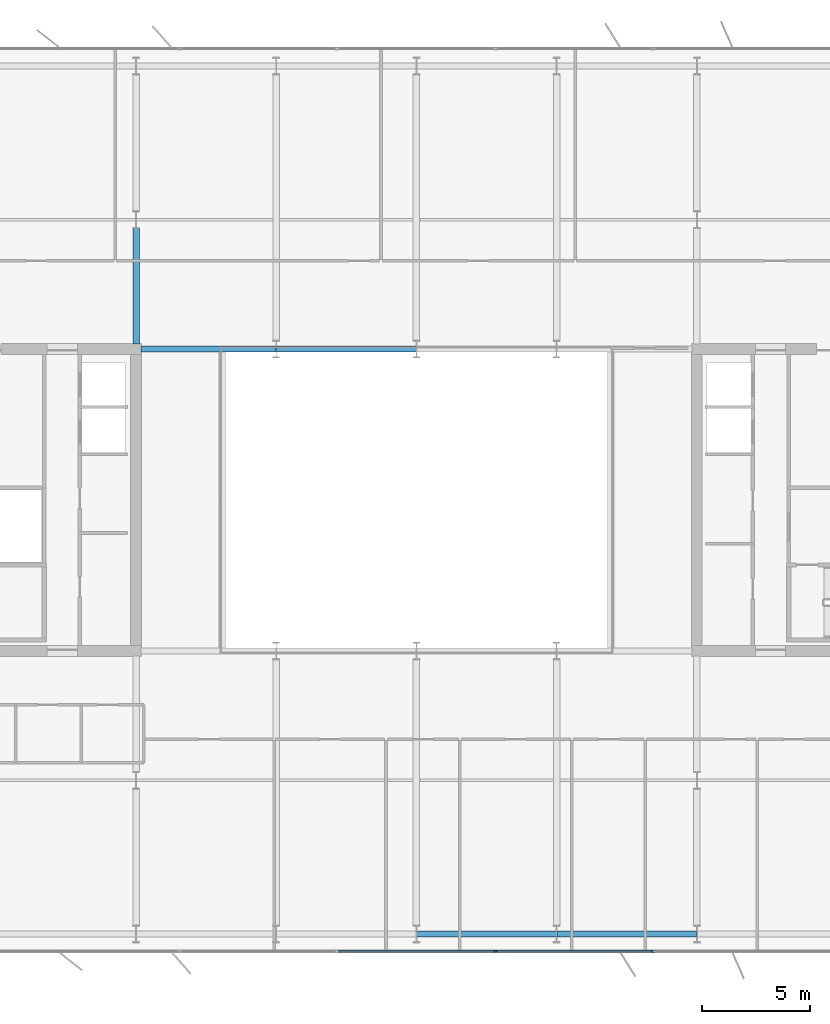
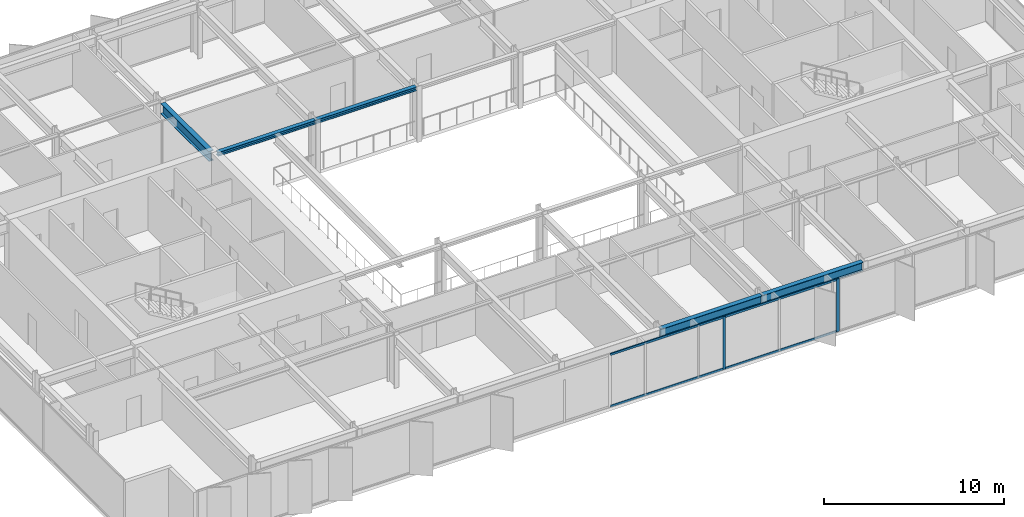
# One storey, part 6 of 24: 6 members, 5 beams, 1 element without a shape of its own.
"""IFC4 building model written with IfcOpenShell, lengths in metres."""

from ifc_helpers import new_model, si_unit, direction, frame, origin, origin_2d, place, context, subcontext, project, spatial, rectangle, i_section, extrude, material, layer, layer_set, material_profile, profile_set, type_object, element, aggregate, save


model = new_model("IFC4")

# Units and contexts
model_context = context("Model", 3, precision=1e-05, world=origin(), true_north=direction((0.0, 1.0)))
body_context = subcontext(model_context, "Body", "Model", "MODEL_VIEW")
ifc_project = project(units=[si_unit("LENGTHUNIT", "METRE"), si_unit("AREAUNIT", "SQUARE_METRE"), si_unit("VOLUMEUNIT", "CUBIC_METRE"), si_unit("PLANEANGLEUNIT", "RADIAN"), si_unit("MASSUNIT", "GRAM", prefix="KILO")], contexts=[model_context])

# Site, building, storey
site_placement = place(None, origin())
site = spatial("IfcSite", under=ifc_project, at=site_placement, CompositionType="ELEMENT")
building_placement = place(site_placement, origin())
building = spatial("IfcBuilding", under=site, at=building_placement, Name="Putna Gate Headquarters", CompositionType="ELEMENT")
storey_placement = place(building_placement, frame((0.0, 0.0, 244.199951171875)))
storey = spatial("IfcBuildingStorey", under=building, at=storey_placement, Name="L61", CompositionType="ELEMENT", Elevation=244.199951171875)

# Beams
ifc_material_1 = material(Name="Steel S355J2", Category="steel")
ifc_material_profile_1 = material_profile(ifc_material_1, i_section(OverallWidth=0.260009765625, OverallDepth=0.260009765625, WebThickness=0.010009765625, FlangeThickness=0.017578125, at=origin_2d()), Name="Steel S355J2")
ifc_profile_set_1 = profile_set([ifc_material_profile_1], Name="Steel S355J2")
beam_type_1 = type_object("IfcBeamType", Name="BM-ATRIUM-HEB260", PredefinedType="BEAM", material=ifc_profile_set_1)
beam_1_placement = place(storey_placement, frame((26.235107421875, 33.0, 3.449951171875), z_axis=(1.0, 0.0, 0.0), x_axis=(0.0, 1.0, 0.0)))
element("IfcBeam", 1, at=beam_1_placement, inside=storey, type_object=beam_type_1, Name="L61 Atrium Edge Beam AN1", PredefinedType="BEAM", context=body_context, shape_type="SweptSolid", body=[
    extrude(i_section(OverallWidth=0.260009765625, OverallDepth=0.260009765625, WebThickness=0.010009765625, FlangeThickness=0.017578125, at=origin_2d()), origin(), (0.0, 0.0, 1.0), 6.2587890625),
])
beam_2_placement = place(storey_placement, frame((32.506103515625, 33.0, 3.449951171875), z_axis=(1.0, 0.0, 0.0), x_axis=(0.0, 1.0, 0.0)))
element("IfcBeam", 2, at=beam_2_placement, inside=storey, type_object=beam_type_1, Name="L61 Atrium Edge Beam AN2", PredefinedType="BEAM", context=body_context, shape_type="SweptSolid", body=[
    extrude(i_section(OverallWidth=0.260009765625, OverallDepth=0.260009765625, WebThickness=0.010009765625, FlangeThickness=0.017578125, at=origin_2d()), origin(), (0.0, 0.0, 1.0), 6.48779296875),
])
ifc_material_profile_2 = material_profile(ifc_material_1, i_section(OverallWidth=0.300048828125, OverallDepth=0.699951171875, WebThickness=0.01708984375, FlangeThickness=0.031982421875, at=origin_2d()), Name="Steel S355J2")
ifc_profile_set_2 = profile_set([ifc_material_profile_2], Name="Steel S355J2")
beam_type_2 = type_object("IfcBeamType", Name="BM-GIRD-B-HEB700", PredefinedType="USERDEFINED", material=ifc_profile_set_2)
beam_3_placement = place(storey_placement, frame((26.0, 33.235107421875, 3.22998046875), z_axis=(0.0, 1.0, 0.0), x_axis=(-1.0, 0.0, 0.0)))
element("IfcBeam", 3, at=beam_3_placement, inside=storey, type_object=beam_type_2, Name="L61 North Primary Girder X26-1", ObjectType="GIRDER", PredefinedType="USERDEFINED", context=body_context, shape_type="SweptSolid", body=[
    extrude(i_section(OverallWidth=0.300048828125, OverallDepth=0.699951171875, WebThickness=0.01708984375, FlangeThickness=0.031982421875, at=origin_2d()), origin(), (0.0, 0.0, 1.0), 5.369873046875),
])
ifc_material_profile_3 = material_profile(ifc_material_1, i_section(OverallWidth=0.300048828125, OverallDepth=0.590087890625, WebThickness=0.012939453125, FlangeThickness=0.02490234375, at=origin_2d()), Name="Steel S355J2")
ifc_profile_set_3 = profile_set([ifc_material_profile_3], Name="Steel S355J2")
beam_type_3 = type_object("IfcBeamType", Name="BM-SPAN-Z4-HEA600", PredefinedType="SPANDREL", material=ifc_profile_set_3)
for number, where, z_axis, x_axis, name in (
    (4, (39.006103515625, 5.8798828125, 3.28515625), (1.0, 0.0, 0.0), (0.0, 1.0, 0.0), "L61 S Perimeter Spandrel 5"),
    (5, (45.506103515625, 5.8798828125, 3.28515625), (1.0, 0.0, 0.0), (0.0, 1.0, 0.0), "L61 S Perimeter Spandrel 6"),
):
    element("IfcBeam", number, at=place(storey_placement, frame(where, z_axis=z_axis, x_axis=x_axis)), inside=storey, type_object=beam_type_3, Name=name, PredefinedType="SPANDREL", context=body_context, shape_type="SweptSolid", body=[
        extrude(i_section(OverallWidth=0.300048828125, OverallDepth=0.590087890625, WebThickness=0.012939453125, FlangeThickness=0.02490234375, at=origin_2d()), origin(), (0.0, 0.0, 1.0), 6.48779296875),
    ])

# Curtain wall, members
ifc_material_2 = material(Name="Anodised bronze aluminium curtain wall", Category="aluminium")
ifc_layer = layer(ifc_material_2, 0.179931640625)
ifc_layer_set = layer_set([ifc_layer], Name="Anodised bronze aluminium curtain wall")
curtain_wall_type = type_object("IfcCurtainWallType", Name="CW-SYS-ATR", PredefinedType="USERDEFINED", material=ifc_layer_set)
curtain_wall_placement = place(storey_placement, origin())
curtain_wall = element("IfcCurtainWall", 6, at=curtain_wall_placement, inside=storey, type_object=curtain_wall_type, Name="L61 South Atrium Clear Glazing", ObjectType="ATRIUM GLAZING", PredefinedType="USERDEFINED")
ifc_material_3 = material(Name="Anodised bronze aluminium EN AW-6060", Category="aluminium")
ifc_material_profile_4 = material_profile(ifc_material_3, rectangle(XDim=0.070068359375, YDim=0.179931640625, at=origin_2d()), Name="Anodised bronze aluminium EN AW-6060")
ifc_profile_set_4 = profile_set([ifc_material_profile_4], Name="Anodised bronze aluminium EN AW-6060")
member_type_1 = type_object("IfcMemberType", Name="MULL-CWM-AT", PredefinedType="MULLION", material=ifc_profile_set_4)
member_1_placement = place(storey_placement, frame((42.666748046875, 5.080078125, 0.0), z_axis=(0.0, 0.0, 1.0), x_axis=(0.0, 1.0, 0.0)))
member_1 = element("IfcMember", 7, at=member_1_placement, type_object=member_type_1, Name="CWS-AT mullion 3", PredefinedType="MULLION", context=body_context, shape_type="SweptSolid", body=[
    extrude(rectangle(XDim=0.070068359375, YDim=0.179931640625, at=origin_2d()), origin(), (0.0, 0.0, 1.0), 3.580078125),
])
member_2_placement = place(storey_placement, frame((49.965087890625, 5.080078125, 0.0), z_axis=(0.0, 0.0, 1.0), x_axis=(0.0, 1.0, 0.0)))
member_2 = element("IfcMember", 8, at=member_2_placement, type_object=member_type_1, Name="CWS-AT mullion 4", PredefinedType="MULLION", context=body_context, shape_type="SweptSolid", body=[
    extrude(rectangle(XDim=0.070068359375, YDim=0.179931640625, at=origin_2d()), origin(), (0.0, 0.0, 1.0), 3.580078125),
])
ifc_material_profile_5 = material_profile(ifc_material_3, rectangle(XDim=0.070068359375, YDim=0.139892578125, at=origin_2d()), Name="Anodised bronze aluminium EN AW-6060")
ifc_profile_set_5 = profile_set([ifc_material_profile_5], Name="Anodised bronze aluminium EN AW-6060")
member_type_2 = type_object("IfcMemberType", Name="TRAN-CWT-AT", PredefinedType="USERDEFINED", material=ifc_profile_set_5)
member_3_placement = place(storey_placement, frame((35.368408203125, 5.080078125, 0.03515625), z_axis=(1.0, 0.0, 0.0), x_axis=(0.0, 1.0, 0.0)))
member_3 = element("IfcMember", 9, at=member_3_placement, type_object=member_type_2, Name="CWS-AT transom 2.1", ObjectType="TRANSOM", PredefinedType="USERDEFINED", context=body_context, shape_type="SweptSolid", body=[
    extrude(rectangle(XDim=0.070068359375, YDim=0.139892578125, at=origin_2d()), origin(), (0.0, 0.0, 1.0), 7.26318359375),
])
member_4_placement = place(storey_placement, frame((35.368408203125, 5.080078125, 3.545166015625), z_axis=(1.0, 0.0, 0.0), x_axis=(0.0, 1.0, 0.0)))
member_4 = element("IfcMember", 10, at=member_4_placement, type_object=member_type_2, Name="CWS-AT transom 2.2", ObjectType="TRANSOM", PredefinedType="USERDEFINED", context=body_context, shape_type="SweptSolid", body=[
    extrude(rectangle(XDim=0.070068359375, YDim=0.139892578125, at=origin_2d()), origin(), (0.0, 0.0, 1.0), 7.26318359375),
])
member_5_placement = place(storey_placement, frame((42.70166015625, 5.080078125, 0.03515625), z_axis=(1.0, 0.0, 0.0), x_axis=(0.0, 1.0, 0.0)))
member_5 = element("IfcMember", 11, at=member_5_placement, type_object=member_type_2, Name="CWS-AT transom 3.1", ObjectType="TRANSOM", PredefinedType="USERDEFINED", context=body_context, shape_type="SweptSolid", body=[
    extrude(rectangle(XDim=0.070068359375, YDim=0.139892578125, at=origin_2d()), origin(), (0.0, 0.0, 1.0), 7.228271484375),
])
member_6_placement = place(storey_placement, frame((42.70166015625, 5.080078125, 3.545166015625), z_axis=(1.0, 0.0, 0.0), x_axis=(0.0, 1.0, 0.0)))
member_6 = element("IfcMember", 12, at=member_6_placement, type_object=member_type_2, Name="CWS-AT transom 3.2", ObjectType="TRANSOM", PredefinedType="USERDEFINED", context=body_context, shape_type="SweptSolid", body=[
    extrude(rectangle(XDim=0.070068359375, YDim=0.139892578125, at=origin_2d()), origin(), (0.0, 0.0, 1.0), 7.228271484375),
])
aggregate(curtain_wall, [member_1, member_2, member_3, member_4, member_5, member_6])

save(model, "model.ifc")
